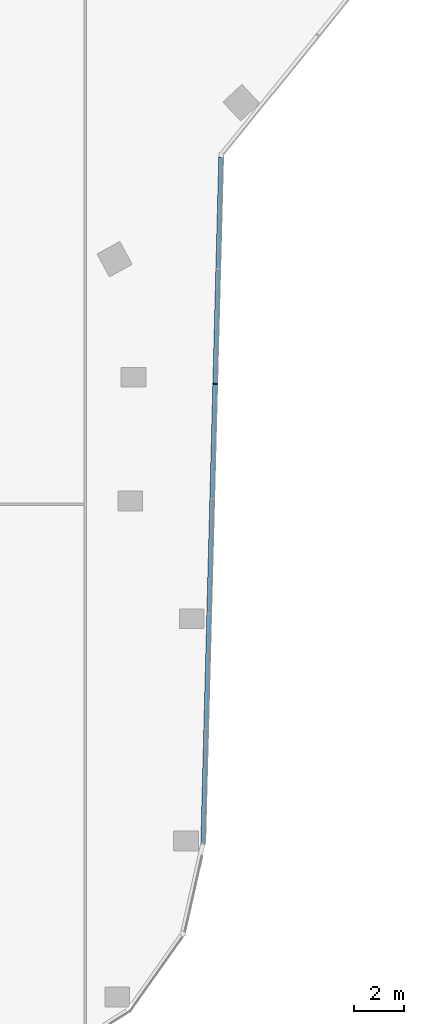
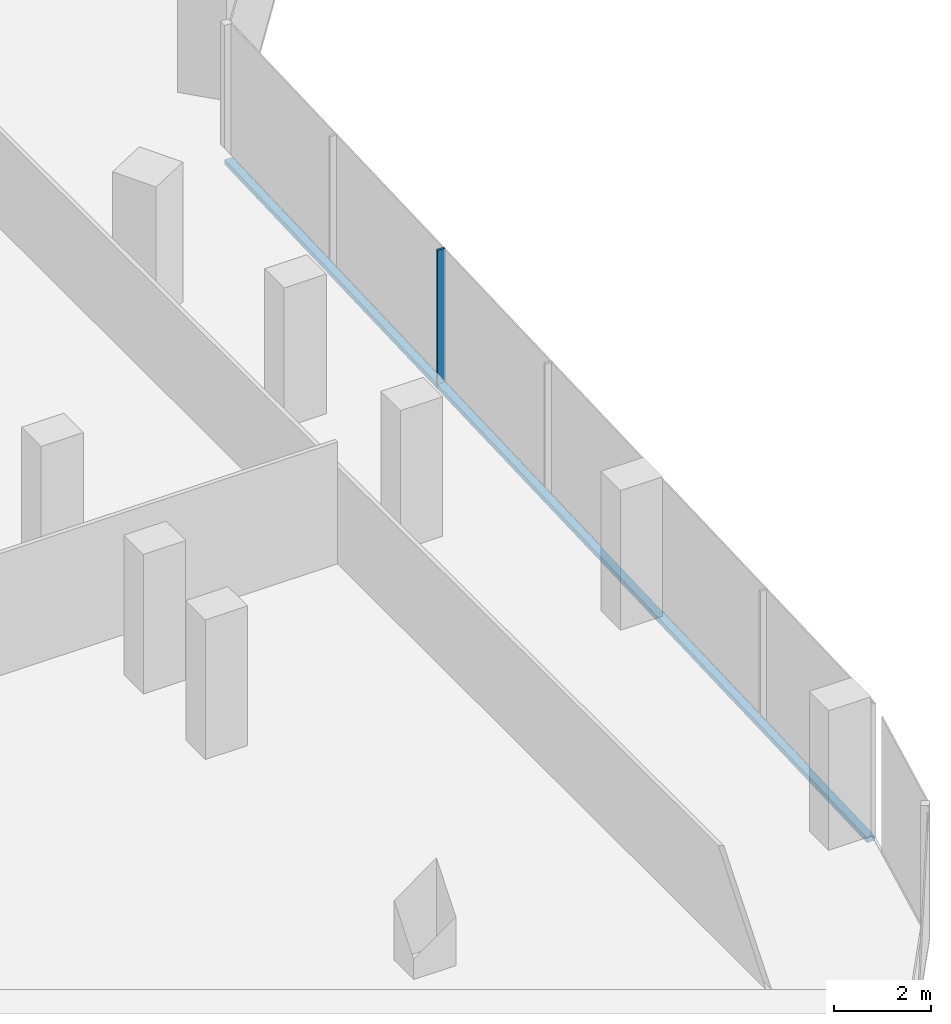
# One storey, part 6 of 26: 2 members, 1 element without a shape of its own.
"""IFC4 building model written with IfcOpenShell, lengths in metres."""

from ifc_helpers import new_model, si_unit, direction, frame, origin, origin_2d, place, context, subcontext, project, spatial, rectangle, extrude, material, material_profile, profile_set, type_object, element, aggregate, save


model = new_model("IFC4")

# Units and contexts
model_context = context("Model", 3, precision=1e-05, world=origin(), true_north=direction((0.0, 1.0)))
body_context = subcontext(model_context, "Body", "Model", "MODEL_VIEW")
ifc_project = project(units=[si_unit("LENGTHUNIT", "METRE"), si_unit("AREAUNIT", "SQUARE_METRE"), si_unit("VOLUMEUNIT", "CUBIC_METRE"), si_unit("PLANEANGLEUNIT", "RADIAN"), si_unit("MASSUNIT", "GRAM", prefix="KILO")], contexts=[model_context])

# Site, building, storey
site_placement = place(None, origin())
site = spatial("IfcSite", under=ifc_project, at=site_placement, CompositionType="ELEMENT")
building_placement = place(site_placement, origin())
building = spatial("IfcBuilding", under=site, at=building_placement, Name="Orlundy Tower", CompositionType="ELEMENT")
storey_placement = place(building_placement, frame((0.0, 0.0, 214.0)))
storey = spatial("IfcBuildingStorey", under=building, at=storey_placement, Name="L56", CompositionType="ELEMENT", Elevation=214.0)

# Curtain wall, members
ifc_material_1 = material(Name="Aluminium bronze anodised", Category="aluminium")
curtain_wall_type = type_object("IfcCurtainWallType", Name="CW1 wall", PredefinedType="NOTDEFINED", material=ifc_material_1)
curtain_wall_placement = place(storey_placement, origin())
curtain_wall = element("IfcCurtainWall", 1, at=curtain_wall_placement, inside=storey, type_object=curtain_wall_type, Name="CW1 run 018", PredefinedType="NOTDEFINED")
ifc_material_2 = material(Name="Aluminium bronze anodised", Category="aluminium")
ifc_material_profile_1 = material_profile(ifc_material_2, rectangle(XDim=0.179931640625, YDim=0.050048828125, at=origin_2d()), Name="CW1 mullion 50x180")
ifc_profile_set_1 = profile_set([ifc_material_profile_1], Name="Aluminium bronze anodised")
member_type_1 = type_object("IfcMemberType", Name="CW1 mullion 50x180", PredefinedType="MULLION", material=ifc_profile_set_1)
member_1_placement = place(storey_placement, frame((19.232666015625, -32.99169921875, -0.39990234375), z_axis=(0.0, 0.0, 1.0), x_axis=(0.999657620616, -0.026165655813, 0.0)))
member_1 = element("IfcMember", 2, at=member_1_placement, type_object=member_type_1, Name="CW1 mullion 45", PredefinedType="MULLION", context=body_context, shape_type="SweptSolid", body=[
    extrude(rectangle(XDim=0.179931640625, YDim=0.050048828125, at=origin_2d()), origin(), (0.0, 0.0, 1.0), 3.47998046875),
])
ifc_material_3 = material(Name="Aluminium bronze anodised", Category="aluminium")
ifc_material_profile_2 = material_profile(ifc_material_3, rectangle(XDim=0.179931640625, YDim=0.1201171875, at=origin_2d()), Name="CW1 transom 180x120")
ifc_profile_set_2 = profile_set([ifc_material_profile_2], Name="Aluminium bronze anodised")
member_type_2 = type_object("IfcMemberType", Name="CW1 transom 180x120", PredefinedType="USERDEFINED", material=ifc_profile_set_2)
member_2_placement = place(storey_placement, frame((19.471923828125, -23.853759765625, -0.340087890625), z_axis=(-0.026173157185, -0.999657424242, 0.0), x_axis=(0.999657424242, -0.026173157185, 0.0)))
member_2 = element("IfcMember", 3, at=member_2_placement, type_object=member_type_2, Name="CW1 transom", ObjectType="TRANSOM", PredefinedType="USERDEFINED", context=body_context, shape_type="SweptSolid", body=[
    extrude(rectangle(XDim=0.179931640625, YDim=0.1201171875, at=origin_2d()), origin(), (0.0, 0.0, 1.0), 27.64794921875),
])
aggregate(curtain_wall, [member_1, member_2])

save(model, "model.ifc")
